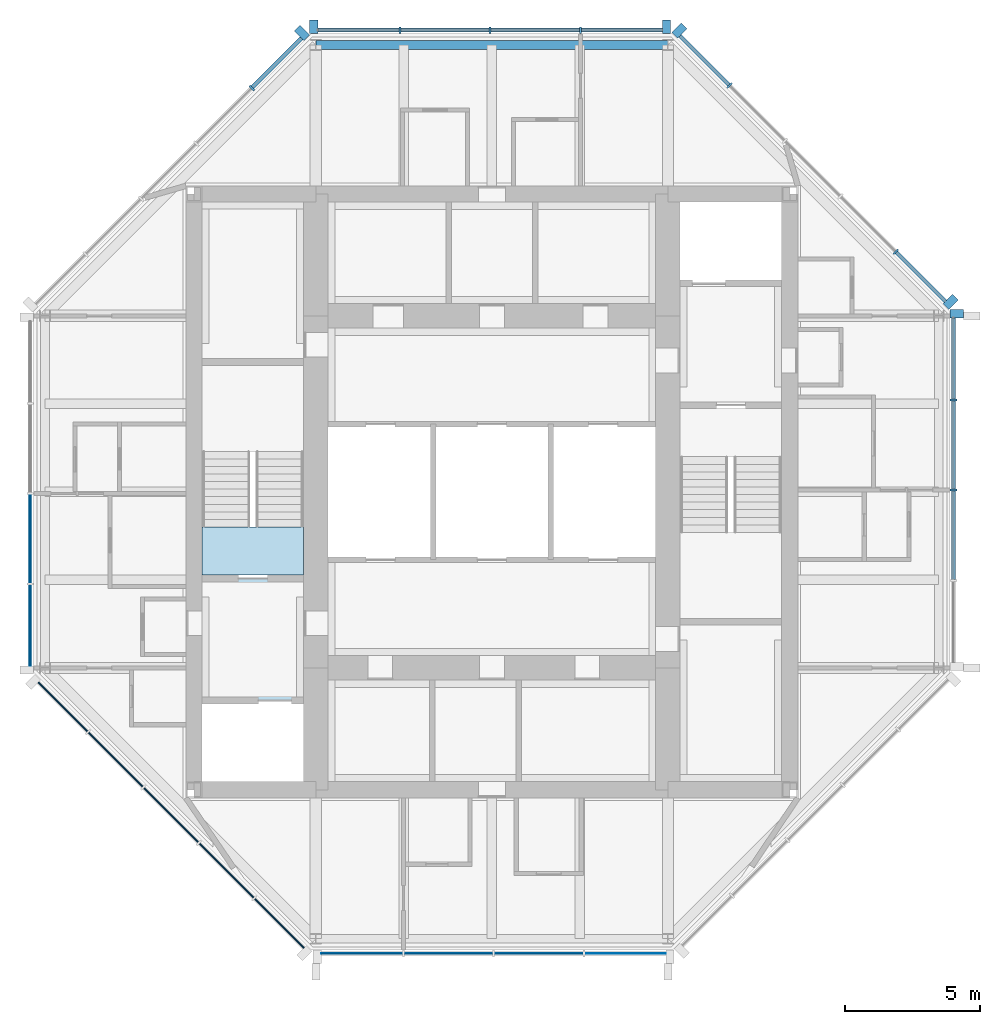
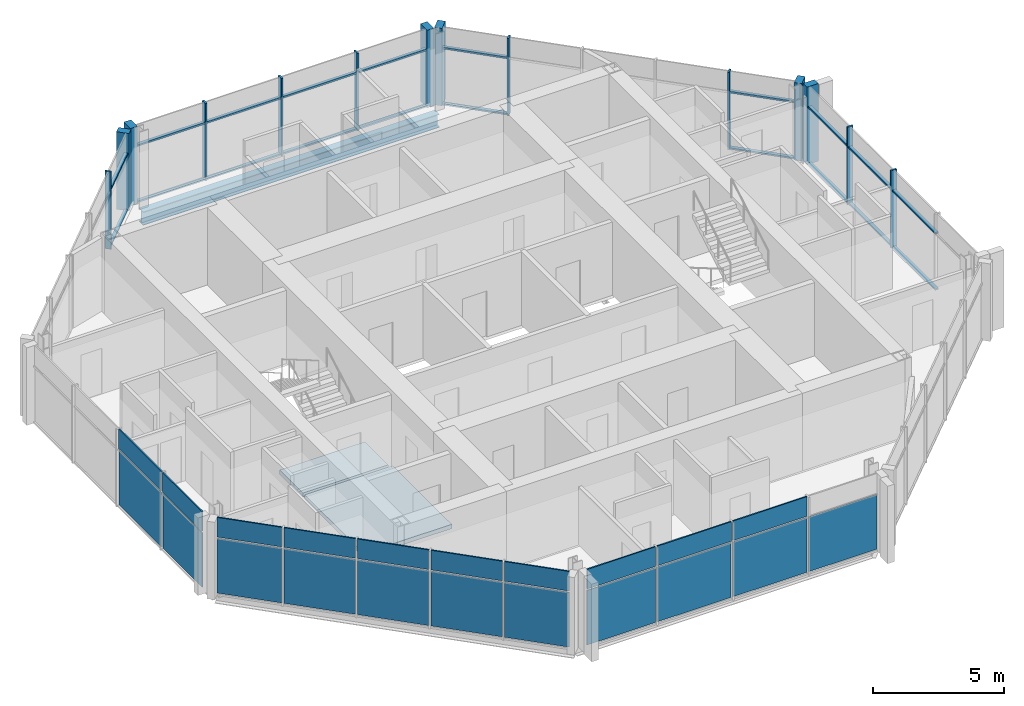
# One storey, part 3 of 9: 34 members, 21 plates, 2 slabs, 1 beam, 8 elements without a shape of their own.
"""IFC4 building model written with IfcOpenShell, lengths in metres."""

from ifc_helpers import new_model, si_unit, direction, frame, origin, origin_2d, place, context, subcontext, project, spatial, polyline, rectangle, i_section, outline, extrude, material, layer, layer_set, material_profile, profile_set, type_object, element, aggregate, save


model = new_model("IFC4")

# Units and contexts
model_context = context("Model", 3, precision=1e-05, world=origin(), true_north=direction((0.0, 1.0)))
body_context = subcontext(model_context, "Body", "Model", "MODEL_VIEW")
ifc_project = project(units=[si_unit("LENGTHUNIT", "METRE"), si_unit("AREAUNIT", "SQUARE_METRE"), si_unit("VOLUMEUNIT", "CUBIC_METRE"), si_unit("PLANEANGLEUNIT", "RADIAN"), si_unit("MASSUNIT", "GRAM", prefix="KILO")], contexts=[model_context])

# Site, building, storey
site_placement = place(None, origin())
site = spatial("IfcSite", under=ifc_project, at=site_placement, CompositionType="ELEMENT")
building_placement = place(site_placement, origin())
building = spatial("IfcBuilding", under=site, at=building_placement, Name="Trevanion Tower", CompositionType="ELEMENT")
storey_placement = place(building_placement, frame((0.0, 0.0, 284.800048828125)))
storey = spatial("IfcBuildingStorey", under=building, at=storey_placement, Name="L70", CompositionType="ELEMENT", Elevation=284.800048828125)

# Curtain wall, members
ifc_material_1 = material(Name="Aluminium and glass", Category="aluminium")
curtain_wall_type = type_object("IfcCurtainWallType", Name="CW4 curtain wall", PredefinedType="USERDEFINED", material=ifc_material_1)
curtain_wall_1_placement = place(storey_placement, origin())
curtain_wall_1 = element("IfcCurtainWall", 1, at=curtain_wall_1_placement, inside=storey, type_object=curtain_wall_type, Name="CW4 L70 0", ObjectType="UNITISED CURTAIN WALL", PredefinedType="USERDEFINED")
ifc_material_2 = material(Name="Aluminium extrusion, anodised bronze", Category="aluminium")
ifc_material_profile_1 = material_profile(ifc_material_2, rectangle(XDim=0.074951171875, YDim=0.25, at=origin_2d()), Name="CW4 mullion")
ifc_profile_set_1 = profile_set([ifc_material_profile_1], Name="Aluminium extrusion, anodised bronze")
member_type_1 = type_object("IfcMemberType", Name="CW4 mullion", PredefinedType="MULLION", material=ifc_profile_set_1)
member_1_placement = place(storey_placement, frame((17.050048828125, 0.06494140625, -0.18994140625), z_axis=(0.0, 0.0, 1.0), x_axis=(0.0, 1.0, 0.0)))
member_1 = element("IfcMember", 2, at=member_1_placement, type_object=member_type_1, Name="CW4 mullion 3", PredefinedType="MULLION", context=body_context, shape_type="SweptSolid", body=[
    extrude(rectangle(XDim=0.074951171875, YDim=0.25, at=origin_2d()), origin(), (0.0, 0.0, 1.0), 3.599853515625),
])
member_2_placement = place(storey_placement, frame((17.050048828125, 3.396484375, -0.18994140625), z_axis=(0.0, 0.0, 1.0), x_axis=(0.0, 1.0, 0.0)))
member_2 = element("IfcMember", 3, at=member_2_placement, type_object=member_type_1, Name="CW4 mullion 4", PredefinedType="MULLION", context=body_context, shape_type="SweptSolid", body=[
    extrude(rectangle(XDim=0.074951171875, YDim=0.25, at=origin_2d()), origin(), (0.0, 0.0, 1.0), 3.599853515625),
])

curtain_wall_2_placement = place(storey_placement, origin())
curtain_wall_2 = element("IfcCurtainWall", 4, at=curtain_wall_2_placement, inside=storey, type_object=curtain_wall_type, Name="CW4 L70 1", ObjectType="UNITISED CURTAIN WALL", PredefinedType="USERDEFINED")
member_3_placement = place(storey_placement, frame((14.912109375, 8.86572265625, -0.18994140625), z_axis=(0.0, 0.0, 1.0), x_axis=(-0.707106781187, 0.707106781187, 0.0)))
member_3 = element("IfcMember", 5, at=member_3_placement, type_object=member_type_1, Name="CW4 mullion 2", PredefinedType="MULLION", context=body_context, shape_type="SweptSolid", body=[
    extrude(rectangle(XDim=0.074951171875, YDim=0.25, at=origin_2d()), origin(), (0.0, 0.0, 1.0), 3.599853515625),
])
member_4_placement = place(storey_placement, frame((8.77392578125, 15.00390625, -0.18994140625), z_axis=(0.0, 0.0, 1.0), x_axis=(-0.707106781187, 0.707106781187, 0.0)))
member_4 = element("IfcMember", 6, at=member_4_placement, type_object=member_type_1, Name="CW4 mullion 5", PredefinedType="MULLION", context=body_context, shape_type="SweptSolid", body=[
    extrude(rectangle(XDim=0.074951171875, YDim=0.25, at=origin_2d()), origin(), (0.0, 0.0, 1.0), 3.599853515625),
])

curtain_wall_3_placement = place(storey_placement, origin())
curtain_wall_3 = element("IfcCurtainWall", 7, at=curtain_wall_3_placement, inside=storey, type_object=curtain_wall_type, Name="CW4 L70 2", ObjectType="UNITISED CURTAIN WALL", PredefinedType="USERDEFINED")
member_5_placement = place(storey_placement, frame((3.266357421875, 17.050048828125, -0.18994140625), z_axis=(0.0, 0.0, 1.0), x_axis=(-1.0, 0.0, 0.0)))
member_5 = element("IfcMember", 8, at=member_5_placement, type_object=member_type_1, Name="CW4 mullion 2", PredefinedType="MULLION", context=body_context, shape_type="SweptSolid", body=[
    extrude(rectangle(XDim=0.074951171875, YDim=0.25, at=origin_2d()), origin(), (0.0, 0.0, 1.0), 3.599853515625),
])
member_6_placement = place(storey_placement, frame((-0.06494140625, 17.050048828125, -0.18994140625), z_axis=(0.0, 0.0, 1.0), x_axis=(-1.0, 0.0, 0.0)))
member_6 = element("IfcMember", 9, at=member_6_placement, type_object=member_type_1, Name="CW4 mullion 3", PredefinedType="MULLION", context=body_context, shape_type="SweptSolid", body=[
    extrude(rectangle(XDim=0.074951171875, YDim=0.25, at=origin_2d()), origin(), (0.0, 0.0, 1.0), 3.599853515625),
])
member_7_placement = place(storey_placement, frame((-3.396484375, 17.050048828125, -0.18994140625), z_axis=(0.0, 0.0, 1.0), x_axis=(-1.0, 0.0, 0.0)))
member_7 = element("IfcMember", 10, at=member_7_placement, type_object=member_type_1, Name="CW4 mullion 4", PredefinedType="MULLION", context=body_context, shape_type="SweptSolid", body=[
    extrude(rectangle(XDim=0.074951171875, YDim=0.25, at=origin_2d()), origin(), (0.0, 0.0, 1.0), 3.599853515625),
])

# Curtain wall, member
curtain_wall_4_placement = place(storey_placement, origin())
curtain_wall_4 = element("IfcCurtainWall", 11, at=curtain_wall_4_placement, inside=storey, type_object=curtain_wall_type, Name="CW4 L70 3", ObjectType="UNITISED CURTAIN WALL", PredefinedType="USERDEFINED")
member_8_placement = place(storey_placement, frame((-8.86572265625, 14.912109375, -0.18994140625), z_axis=(0.0, 0.0, 1.0), x_axis=(-0.707106781187, -0.707106781187, 0.0)))
member_8 = element("IfcMember", 12, at=member_8_placement, type_object=member_type_1, Name="CW4 mullion 2", PredefinedType="MULLION", context=body_context, shape_type="SweptSolid", body=[
    extrude(rectangle(XDim=0.074951171875, YDim=0.25, at=origin_2d()), origin(), (0.0, 0.0, 1.0), 3.599853515625),
])

# Member
ifc_material_3 = material(Name="Aluminium extrusion, anodised bronze", Category="aluminium")
ifc_material_profile_2 = material_profile(ifc_material_3, rectangle(XDim=0.300048828125, YDim=0.5, at=origin_2d()), Name="CW4 pier mullion")
ifc_profile_set_2 = profile_set([ifc_material_profile_2], Name="Aluminium extrusion, anodised bronze")
member_type_2 = type_object("IfcMemberType", Name="CW4 pier mullion", PredefinedType="MULLION", material=ifc_profile_set_2)
member_9_placement = place(storey_placement, frame((17.175048828125, 6.577880859375, -0.18994140625), z_axis=(0.0, 0.0, 1.0), x_axis=(0.0, 1.0, 0.0)))
member_9 = element("IfcMember", 13, at=member_9_placement, type_object=member_type_2, Name="CW4 pier mullion 5", PredefinedType="MULLION", context=body_context, shape_type="SweptSolid", body=[
    extrude(rectangle(XDim=0.300048828125, YDim=0.5, at=origin_2d()), origin(), (0.0, 0.0, 1.0), 3.599853515625),
])

member_10_placement = place(storey_placement, frame((16.9404296875, 7.01416015625, -0.18994140625), z_axis=(0.0, 0.0, 1.0), x_axis=(-0.707106781187, 0.707106781187, 0.0)))
member_10 = element("IfcMember", 14, at=member_10_placement, type_object=member_type_2, Name="CW4 pier mullion 1", PredefinedType="MULLION", context=body_context, shape_type="SweptSolid", body=[
    extrude(rectangle(XDim=0.300048828125, YDim=0.5, at=origin_2d()), origin(), (0.0, 0.0, 1.0), 3.599853515625),
])

member_11_placement = place(storey_placement, frame((6.92236328125, 17.0322265625, -0.18994140625), z_axis=(0.0, 0.0, 1.0), x_axis=(-0.707106781187, 0.707106781187, 0.0)))
member_11 = element("IfcMember", 15, at=member_11_placement, type_object=member_type_2, Name="CW4 pier mullion 6", PredefinedType="MULLION", context=body_context, shape_type="SweptSolid", body=[
    extrude(rectangle(XDim=0.300048828125, YDim=0.5, at=origin_2d()), origin(), (0.0, 0.0, 1.0), 3.599853515625),
])

member_12_placement = place(storey_placement, frame((6.44775390625, 17.175048828125, -0.18994140625), z_axis=(0.0, 0.0, 1.0), x_axis=(-1.0, 0.0, 0.0)))
member_12 = element("IfcMember", 16, at=member_12_placement, type_object=member_type_2, Name="CW4 pier mullion 1", PredefinedType="MULLION", context=body_context, shape_type="SweptSolid", body=[
    extrude(rectangle(XDim=0.300048828125, YDim=0.5, at=origin_2d()), origin(), (0.0, 0.0, 1.0), 3.599853515625),
])

member_13_placement = place(storey_placement, frame((-6.577880859375, 17.175048828125, -0.18994140625), z_axis=(0.0, 0.0, 1.0), x_axis=(-1.0, 0.0, 0.0)))
member_13 = element("IfcMember", 17, at=member_13_placement, type_object=member_type_2, Name="CW4 pier mullion 5", PredefinedType="MULLION", context=body_context, shape_type="SweptSolid", body=[
    extrude(rectangle(XDim=0.300048828125, YDim=0.5, at=origin_2d()), origin(), (0.0, 0.0, 1.0), 3.599853515625),
])

member_14_placement = place(storey_placement, frame((-7.01416015625, 16.9404296875, -0.18994140625), z_axis=(0.0, 0.0, 1.0), x_axis=(-0.707106781187, -0.707106781187, 0.0)))
member_14 = element("IfcMember", 18, at=member_14_placement, type_object=member_type_2, Name="CW4 pier mullion 1", PredefinedType="MULLION", context=body_context, shape_type="SweptSolid", body=[
    extrude(rectangle(XDim=0.300048828125, YDim=0.5, at=origin_2d()), origin(), (0.0, 0.0, 1.0), 3.599853515625),
])

ifc_material_4 = material(Name="Aluminium extrusion, anodised bronze", Category="aluminium")
ifc_material_profile_3 = material_profile(ifc_material_4, rectangle(XDim=0.14990234375, YDim=0.074951171875, at=origin_2d()), Name="CW4 transom")
ifc_profile_set_3 = profile_set([ifc_material_profile_3], Name="Aluminium extrusion, anodised bronze")
member_type_3 = type_object("IfcMemberType", Name="CW4 transom", PredefinedType="USERDEFINED", material=ifc_profile_set_3)
member_15_placement = place(storey_placement, frame((17.050048828125, -3.22900390625, -0.152587890625), z_axis=(0.0, 1.0, 0.0), x_axis=(-1.0, 0.0, 0.0)))
member_15 = element("IfcMember", 19, at=member_15_placement, type_object=member_type_3, Name="CW4 transom 2.1", ObjectType="TRANSOM", PredefinedType="USERDEFINED", context=body_context, shape_type="SweptSolid", body=[
    extrude(rectangle(XDim=0.14990234375, YDim=0.074951171875, at=origin_2d()), origin(), (0.0, 0.0, 1.0), 3.256591796875),
])

member_16_placement = place(storey_placement, frame((17.050048828125, -3.22900390625, 2.4599609375), z_axis=(0.0, 1.0, 0.0), x_axis=(-1.0, 0.0, 0.0)))
member_16 = element("IfcMember", 20, at=member_16_placement, type_object=member_type_3, Name="CW4 transom 2.2", ObjectType="TRANSOM", PredefinedType="USERDEFINED", context=body_context, shape_type="SweptSolid", body=[
    extrude(rectangle(XDim=0.14990234375, YDim=0.074951171875, at=origin_2d()), origin(), (0.0, 0.0, 1.0), 3.256591796875),
])

member_17_placement = place(storey_placement, frame((17.050048828125, 0.1025390625, -0.152587890625), z_axis=(0.0, 1.0, 0.0), x_axis=(-1.0, 0.0, 0.0)))
member_17 = element("IfcMember", 21, at=member_17_placement, type_object=member_type_3, Name="CW4 transom 3.1", ObjectType="TRANSOM", PredefinedType="USERDEFINED", context=body_context, shape_type="SweptSolid", body=[
    extrude(rectangle(XDim=0.14990234375, YDim=0.074951171875, at=origin_2d()), origin(), (0.0, 0.0, 1.0), 3.25634765625),
])

member_18_placement = place(storey_placement, frame((17.050048828125, 0.1025390625, 2.4599609375), z_axis=(0.0, 1.0, 0.0), x_axis=(-1.0, 0.0, 0.0)))
member_18 = element("IfcMember", 22, at=member_18_placement, type_object=member_type_3, Name="CW4 transom 3.2", ObjectType="TRANSOM", PredefinedType="USERDEFINED", context=body_context, shape_type="SweptSolid", body=[
    extrude(rectangle(XDim=0.14990234375, YDim=0.074951171875, at=origin_2d()), origin(), (0.0, 0.0, 1.0), 3.25634765625),
])

member_19_placement = place(storey_placement, frame((17.050048828125, 3.433837890625, -0.152587890625), z_axis=(0.0, 1.0, 0.0), x_axis=(-1.0, 0.0, 0.0)))
member_19 = element("IfcMember", 23, at=member_19_placement, type_object=member_type_3, Name="CW4 transom 4.1", ObjectType="TRANSOM", PredefinedType="USERDEFINED", context=body_context, shape_type="SweptSolid", body=[
    extrude(rectangle(XDim=0.14990234375, YDim=0.074951171875, at=origin_2d()), origin(), (0.0, 0.0, 1.0), 2.993896484375),
])

member_20_placement = place(storey_placement, frame((17.050048828125, 3.433837890625, 2.4599609375), z_axis=(0.0, 1.0, 0.0), x_axis=(-1.0, 0.0, 0.0)))
member_20 = element("IfcMember", 24, at=member_20_placement, type_object=member_type_3, Name="CW4 transom 4.2", ObjectType="TRANSOM", PredefinedType="USERDEFINED", context=body_context, shape_type="SweptSolid", body=[
    extrude(rectangle(XDim=0.14990234375, YDim=0.074951171875, at=origin_2d()), origin(), (0.0, 0.0, 1.0), 2.993896484375),
])

aggregate(curtain_wall_1, [member_1, member_2, member_9, member_15, member_16, member_17, member_18, member_19, member_20])

member_21_placement = place(storey_placement, frame((16.745849609375, 7.031982421875, -0.152587890625), z_axis=(-0.707106781187, 0.707106781187, 0.0), x_axis=(-0.707106781187, -0.707106781187, 0.0)))
member_21 = element("IfcMember", 25, at=member_21_placement, type_object=member_type_3, Name="CW4 transom 1.1", ObjectType="TRANSOM", PredefinedType="USERDEFINED", context=body_context, shape_type="SweptSolid", body=[
    extrude(rectangle(XDim=0.14990234375, YDim=0.074951171875, at=origin_2d()), origin(), (0.0, 0.0, 1.0), 2.555908203125),
])

member_22_placement = place(storey_placement, frame((16.745849609375, 7.031982421875, 2.4599609375), z_axis=(-0.707106781187, 0.707106781187, 0.0), x_axis=(-0.707106781187, -0.707106781187, 0.0)))
member_22 = element("IfcMember", 26, at=member_22_placement, type_object=member_type_3, Name="CW4 transom 1.2", ObjectType="TRANSOM", PredefinedType="USERDEFINED", context=body_context, shape_type="SweptSolid", body=[
    extrude(rectangle(XDim=0.14990234375, YDim=0.074951171875, at=origin_2d()), origin(), (0.0, 0.0, 1.0), 2.555908203125),
])

member_23_placement = place(storey_placement, frame((8.747314453125, 15.030517578125, -0.152587890625), z_axis=(-0.707106781187, 0.707106781187, 0.0), x_axis=(-0.707106781187, -0.707106781187, 0.0)))
member_23 = element("IfcMember", 27, at=member_23_placement, type_object=member_type_3, Name="CW4 transom 5.1", ObjectType="TRANSOM", PredefinedType="USERDEFINED", context=body_context, shape_type="SweptSolid", body=[
    extrude(rectangle(XDim=0.14990234375, YDim=0.074951171875, at=origin_2d()), origin(), (0.0, 0.0, 1.0), 2.555908203125),
])

member_24_placement = place(storey_placement, frame((8.747314453125, 15.030517578125, 2.4599609375), z_axis=(-0.707106781187, 0.707106781187, 0.0), x_axis=(-0.707106781187, -0.707106781187, 0.0)))
member_24 = element("IfcMember", 28, at=member_24_placement, type_object=member_type_3, Name="CW4 transom 5.2", ObjectType="TRANSOM", PredefinedType="USERDEFINED", context=body_context, shape_type="SweptSolid", body=[
    extrude(rectangle(XDim=0.14990234375, YDim=0.074951171875, at=origin_2d()), origin(), (0.0, 0.0, 1.0), 2.555908203125),
])

aggregate(curtain_wall_2, [member_10, member_3, member_4, member_11, member_21, member_22, member_23, member_24])

member_25_placement = place(storey_placement, frame((6.2978515625, 17.050048828125, -0.152587890625), z_axis=(-1.0, 0.0, 0.0), x_axis=(0.0, -1.0, 0.0)))
member_25 = element("IfcMember", 29, at=member_25_placement, type_object=member_type_3, Name="CW4 transom 1.1", ObjectType="TRANSOM", PredefinedType="USERDEFINED", context=body_context, shape_type="SweptSolid", body=[
    extrude(rectangle(XDim=0.14990234375, YDim=0.074951171875, at=origin_2d()), origin(), (0.0, 0.0, 1.0), 2.993896484375),
])

member_26_placement = place(storey_placement, frame((6.2978515625, 17.050048828125, 2.4599609375), z_axis=(-1.0, 0.0, 0.0), x_axis=(0.0, -1.0, 0.0)))
member_26 = element("IfcMember", 30, at=member_26_placement, type_object=member_type_3, Name="CW4 transom 1.2", ObjectType="TRANSOM", PredefinedType="USERDEFINED", context=body_context, shape_type="SweptSolid", body=[
    extrude(rectangle(XDim=0.14990234375, YDim=0.074951171875, at=origin_2d()), origin(), (0.0, 0.0, 1.0), 2.993896484375),
])

member_27_placement = place(storey_placement, frame((3.22900390625, 17.050048828125, -0.152587890625), z_axis=(-1.0, 0.0, 0.0), x_axis=(0.0, -1.0, 0.0)))
member_27 = element("IfcMember", 31, at=member_27_placement, type_object=member_type_3, Name="CW4 transom 2.1", ObjectType="TRANSOM", PredefinedType="USERDEFINED", context=body_context, shape_type="SweptSolid", body=[
    extrude(rectangle(XDim=0.14990234375, YDim=0.074951171875, at=origin_2d()), origin(), (0.0, 0.0, 1.0), 3.256591796875),
])

member_28_placement = place(storey_placement, frame((3.22900390625, 17.050048828125, 2.4599609375), z_axis=(-1.0, 0.0, 0.0), x_axis=(0.0, -1.0, 0.0)))
member_28 = element("IfcMember", 32, at=member_28_placement, type_object=member_type_3, Name="CW4 transom 2.2", ObjectType="TRANSOM", PredefinedType="USERDEFINED", context=body_context, shape_type="SweptSolid", body=[
    extrude(rectangle(XDim=0.14990234375, YDim=0.074951171875, at=origin_2d()), origin(), (0.0, 0.0, 1.0), 3.256591796875),
])

member_29_placement = place(storey_placement, frame((-0.1025390625, 17.050048828125, -0.152587890625), z_axis=(-1.0, 0.0, 0.0), x_axis=(0.0, -1.0, 0.0)))
member_29 = element("IfcMember", 33, at=member_29_placement, type_object=member_type_3, Name="CW4 transom 3.1", ObjectType="TRANSOM", PredefinedType="USERDEFINED", context=body_context, shape_type="SweptSolid", body=[
    extrude(rectangle(XDim=0.14990234375, YDim=0.074951171875, at=origin_2d()), origin(), (0.0, 0.0, 1.0), 3.25634765625),
])

member_30_placement = place(storey_placement, frame((-0.1025390625, 17.050048828125, 2.4599609375), z_axis=(-1.0, 0.0, 0.0), x_axis=(0.0, -1.0, 0.0)))
member_30 = element("IfcMember", 34, at=member_30_placement, type_object=member_type_3, Name="CW4 transom 3.2", ObjectType="TRANSOM", PredefinedType="USERDEFINED", context=body_context, shape_type="SweptSolid", body=[
    extrude(rectangle(XDim=0.14990234375, YDim=0.074951171875, at=origin_2d()), origin(), (0.0, 0.0, 1.0), 3.25634765625),
])

member_31_placement = place(storey_placement, frame((-3.433837890625, 17.050048828125, -0.152587890625), z_axis=(-1.0, 0.0, 0.0), x_axis=(0.0, -1.0, 0.0)))
member_31 = element("IfcMember", 35, at=member_31_placement, type_object=member_type_3, Name="CW4 transom 4.1", ObjectType="TRANSOM", PredefinedType="USERDEFINED", context=body_context, shape_type="SweptSolid", body=[
    extrude(rectangle(XDim=0.14990234375, YDim=0.074951171875, at=origin_2d()), origin(), (0.0, 0.0, 1.0), 2.993896484375),
])

member_32_placement = place(storey_placement, frame((-3.433837890625, 17.050048828125, 2.4599609375), z_axis=(-1.0, 0.0, 0.0), x_axis=(0.0, -1.0, 0.0)))
member_32 = element("IfcMember", 36, at=member_32_placement, type_object=member_type_3, Name="CW4 transom 4.2", ObjectType="TRANSOM", PredefinedType="USERDEFINED", context=body_context, shape_type="SweptSolid", body=[
    extrude(rectangle(XDim=0.14990234375, YDim=0.074951171875, at=origin_2d()), origin(), (0.0, 0.0, 1.0), 2.993896484375),
])

aggregate(curtain_wall_3, [member_12, member_5, member_6, member_7, member_13, member_25, member_26, member_27, member_28, member_29, member_30, member_31, member_32])

member_33_placement = place(storey_placement, frame((-7.031982421875, 16.745849609375, -0.152587890625), z_axis=(-0.707106781187, -0.707106781187, 0.0), x_axis=(0.707106781187, -0.707106781187, 0.0)))
member_33 = element("IfcMember", 37, at=member_33_placement, type_object=member_type_3, Name="CW4 transom 1.1", ObjectType="TRANSOM", PredefinedType="USERDEFINED", context=body_context, shape_type="SweptSolid", body=[
    extrude(rectangle(XDim=0.14990234375, YDim=0.074951171875, at=origin_2d()), origin(), (0.0, 0.0, 1.0), 2.555908203125),
])

member_34_placement = place(storey_placement, frame((-7.031982421875, 16.745849609375, 2.4599609375), z_axis=(-0.707106781187, -0.707106781187, 0.0), x_axis=(0.707106781187, -0.707106781187, 0.0)))
member_34 = element("IfcMember", 38, at=member_34_placement, type_object=member_type_3, Name="CW4 transom 1.2", ObjectType="TRANSOM", PredefinedType="USERDEFINED", context=body_context, shape_type="SweptSolid", body=[
    extrude(rectangle(XDim=0.14990234375, YDim=0.074951171875, at=origin_2d()), origin(), (0.0, 0.0, 1.0), 2.555908203125),
])

aggregate(curtain_wall_4, [member_14, member_8, member_33, member_34])

# Beam
ifc_material_5 = material(Name="Steel ASTM A992 Grade 50", Category="steel")
ifc_material_profile_4 = material_profile(ifc_material_5, i_section(OverallWidth=0.32763671875, OverallDepth=0.622314453125, WebThickness=0.015380859375, FlangeThickness=0.0244140625, at=origin_2d()), Name="W24X131")
ifc_profile_set_4 = profile_set([ifc_material_profile_4], Name="Steel ASTM A992 Grade 50")
beam_type = type_object("IfcBeamType", Name="SB12 W24X131", PredefinedType="SPANDREL", material=ifc_profile_set_4)
beam_placement = place(storey_placement, frame((6.5, 16.5, -0.501220703125), z_axis=(-1.0, 0.0, 0.0), x_axis=(0.0, -1.0, 0.0)))
element("IfcBeam", 39, at=beam_placement, inside=storey, type_object=beam_type, Name="SB12 L70", PredefinedType="SPANDREL", context=body_context, shape_type="SweptSolid", body=[
    extrude(i_section(OverallWidth=0.32763671875, OverallDepth=0.622314453125, WebThickness=0.015380859375, FlangeThickness=0.0244140625, at=origin_2d()), origin(), (0.0, 0.0, 1.0), 13.0),
])

# Curtain wall, plates
curtain_wall_5_placement = place(storey_placement, origin())
curtain_wall_5 = element("IfcCurtainWall", 40, at=curtain_wall_5_placement, inside=storey, type_object=curtain_wall_type, Name="CW4 L70 4", ObjectType="UNITISED CURTAIN WALL", PredefinedType="USERDEFINED")
ifc_material_6 = material(Name="Aluminium spandrel panel", Category="aluminium")
ifc_layer_1 = layer(ifc_material_6, 0.06005859375)
ifc_layer_set_1 = layer_set([ifc_layer_1], Name="CW4 spandrel panel")
plate_type_1 = type_object("IfcPlateType", Name="CW4 spandrel panel", PredefinedType="CURTAIN_PANEL", material=ifc_layer_set_1)
plate_1_placement = place(storey_placement, frame((-17.050048828125, -1.730712890625, 2.497314453125), z_axis=(0.0, 0.0, 1.0), x_axis=(0.0, -1.0, 0.0)))
plate_1 = element("IfcPlate", 41, at=plate_1_placement, type_object=plate_type_1, Name="CW4 panel 3.2", PredefinedType="CURTAIN_PANEL", context=body_context, shape_type="SweptSolid", body=[
    extrude(rectangle(XDim=3.25634765625, YDim=0.06005859375, at=origin_2d()), origin(), (0.0, 0.0, 1.0), 0.91259765625),
])
plate_2_placement = place(storey_placement, frame((-17.050048828125, -4.930908203125, 2.497314453125), z_axis=(0.0, 0.0, 1.0), x_axis=(0.0, -1.0, 0.0)))
plate_2 = element("IfcPlate", 42, at=plate_2_placement, type_object=plate_type_1, Name="CW4 panel 4.2", PredefinedType="CURTAIN_PANEL", context=body_context, shape_type="SweptSolid", body=[
    extrude(rectangle(XDim=2.993896484375, YDim=0.06005859375, at=origin_2d()), origin(), (0.0, 0.0, 1.0), 0.91259765625),
])

curtain_wall_6_placement = place(storey_placement, origin())
curtain_wall_6 = element("IfcCurtainWall", 43, at=curtain_wall_6_placement, inside=storey, type_object=curtain_wall_type, Name="CW4 L70 5", ObjectType="UNITISED CURTAIN WALL", PredefinedType="USERDEFINED")
plate_3_placement = place(storey_placement, frame((-15.84228515625, -7.935546875, 2.497314453125), z_axis=(0.0, 0.0, 1.0), x_axis=(0.707106781187, -0.707106781187, 0.0)))
plate_3 = element("IfcPlate", 44, at=plate_3_placement, type_object=plate_type_1, Name="CW4 panel 1.2", PredefinedType="CURTAIN_PANEL", context=body_context, shape_type="SweptSolid", body=[
    extrude(rectangle(XDim=2.55615234375, YDim=0.06005859375, at=origin_2d()), origin(), (0.0, 0.0, 1.0), 0.91259765625),
])
plate_4_placement = place(storey_placement, frame((-13.888916015625, -9.888916015625, 2.497314453125), z_axis=(0.0, 0.0, 1.0), x_axis=(0.707106781187, -0.707106781187, 0.0)))
plate_4 = element("IfcPlate", 45, at=plate_4_placement, type_object=plate_type_1, Name="CW4 panel 2.2", PredefinedType="CURTAIN_PANEL", context=body_context, shape_type="SweptSolid", body=[
    extrude(rectangle(XDim=2.818603515625, YDim=0.06005859375, at=origin_2d()), origin(), (0.0, 0.0, 1.0), 0.91259765625),
])
plate_5_placement = place(storey_placement, frame((-11.843017578125, -11.934814453125, 2.497314453125), z_axis=(0.0, 0.0, 1.0), x_axis=(0.707106781187, -0.707106781187, 0.0)))
plate_5 = element("IfcPlate", 46, at=plate_5_placement, type_object=plate_type_1, Name="CW4 panel 3.2", PredefinedType="CURTAIN_PANEL", context=body_context, shape_type="SweptSolid", body=[
    extrude(rectangle(XDim=2.818603515625, YDim=0.06005859375, at=origin_2d()), origin(), (0.0, 0.0, 1.0), 0.91259765625),
])
plate_6_placement = place(storey_placement, frame((-9.796875, -13.98095703125, 2.497314453125), z_axis=(0.0, 0.0, 1.0), x_axis=(0.707106781187, -0.707106781187, 0.0)))
plate_6 = element("IfcPlate", 47, at=plate_6_placement, type_object=plate_type_1, Name="CW4 panel 4.2", PredefinedType="CURTAIN_PANEL", context=body_context, shape_type="SweptSolid", body=[
    extrude(rectangle(XDim=2.818603515625, YDim=0.06005859375, at=origin_2d()), origin(), (0.0, 0.0, 1.0), 0.91259765625),
])
plate_7_placement = place(storey_placement, frame((-7.84375, -15.93408203125, 2.497314453125), z_axis=(0.0, 0.0, 1.0), x_axis=(0.707106781187, -0.707106781187, 0.0)))
plate_7 = element("IfcPlate", 48, at=plate_7_placement, type_object=plate_type_1, Name="CW4 panel 5.2", PredefinedType="CURTAIN_PANEL", context=body_context, shape_type="SweptSolid", body=[
    extrude(rectangle(XDim=2.55615234375, YDim=0.06005859375, at=origin_2d()), origin(), (0.0, 0.0, 1.0), 0.91259765625),
])

curtain_wall_7_placement = place(storey_placement, origin())
curtain_wall_7 = element("IfcCurtainWall", 49, at=curtain_wall_7_placement, inside=storey, type_object=curtain_wall_type, Name="CW4 L70 6", ObjectType="UNITISED CURTAIN WALL", PredefinedType="USERDEFINED")
plate_8_placement = place(storey_placement, frame((-4.80078125, -17.050048828125, 2.497314453125), z_axis=(0.0, 0.0, 1.0), x_axis=(1.0, 0.0, 0.0)))
plate_8 = element("IfcPlate", 50, at=plate_8_placement, type_object=plate_type_1, Name="CW4 panel 1.2", PredefinedType="CURTAIN_PANEL", context=body_context, shape_type="SweptSolid", body=[
    extrude(rectangle(XDim=2.993896484375, YDim=0.06005859375, at=origin_2d()), origin(), (0.0, 0.0, 1.0), 0.91259765625),
])
plate_9_placement = place(storey_placement, frame((-1.6005859375, -17.050048828125, 2.497314453125), z_axis=(0.0, 0.0, 1.0), x_axis=(1.0, 0.0, 0.0)))
plate_9 = element("IfcPlate", 51, at=plate_9_placement, type_object=plate_type_1, Name="CW4 panel 2.2", PredefinedType="CURTAIN_PANEL", context=body_context, shape_type="SweptSolid", body=[
    extrude(rectangle(XDim=3.25634765625, YDim=0.06005859375, at=origin_2d()), origin(), (0.0, 0.0, 1.0), 0.91259765625),
])
plate_10_placement = place(storey_placement, frame((1.730712890625, -17.050048828125, 2.497314453125), z_axis=(0.0, 0.0, 1.0), x_axis=(1.0, 0.0, 0.0)))
plate_10 = element("IfcPlate", 52, at=plate_10_placement, type_object=plate_type_1, Name="CW4 panel 3.2", PredefinedType="CURTAIN_PANEL", context=body_context, shape_type="SweptSolid", body=[
    extrude(rectangle(XDim=3.25634765625, YDim=0.06005859375, at=origin_2d()), origin(), (0.0, 0.0, 1.0), 0.91259765625),
])

# Plate
ifc_material_7 = material(Name="Insulating glass unit", Category="glass")
ifc_layer_2 = layer(ifc_material_7, 0.028076171875)
ifc_layer_set_2 = layer_set([ifc_layer_2], Name="CW4 vision panel")
plate_type_2 = type_object("IfcPlateType", Name="CW4 vision panel", PredefinedType="CURTAIN_PANEL", material=ifc_layer_set_2)
plate_11_placement = place(storey_placement, frame((-17.050048828125, -1.730712890625, -0.114990234375), z_axis=(0.0, 0.0, 1.0), x_axis=(0.0, -1.0, 0.0)))
plate_11 = element("IfcPlate", 53, at=plate_11_placement, type_object=plate_type_2, Name="CW4 panel 3.1", PredefinedType="CURTAIN_PANEL", context=body_context, shape_type="SweptSolid", body=[
    extrude(rectangle(XDim=3.25634765625, YDim=0.028076171875, at=origin_2d()), origin(), (0.0, 0.0, 1.0), 2.53759765625),
])

plate_12_placement = place(storey_placement, frame((-17.050048828125, -4.930908203125, -0.114990234375), z_axis=(0.0, 0.0, 1.0), x_axis=(0.0, -1.0, 0.0)))
plate_12 = element("IfcPlate", 54, at=plate_12_placement, type_object=plate_type_2, Name="CW4 panel 4.1", PredefinedType="CURTAIN_PANEL", context=body_context, shape_type="SweptSolid", body=[
    extrude(rectangle(XDim=2.993896484375, YDim=0.028076171875, at=origin_2d()), origin(), (0.0, 0.0, 1.0), 2.53759765625),
])

aggregate(curtain_wall_5, [plate_11, plate_1, plate_12, plate_2])

plate_13_placement = place(storey_placement, frame((-15.84228515625, -7.935546875, -0.114990234375), z_axis=(0.0, 0.0, 1.0), x_axis=(0.707106781187, -0.707106781187, 0.0)))
plate_13 = element("IfcPlate", 55, at=plate_13_placement, type_object=plate_type_2, Name="CW4 panel 1.1", PredefinedType="CURTAIN_PANEL", context=body_context, shape_type="SweptSolid", body=[
    extrude(rectangle(XDim=2.55615234375, YDim=0.028076171875, at=origin_2d()), origin(), (0.0, 0.0, 1.0), 2.53759765625),
])

plate_14_placement = place(storey_placement, frame((-13.888916015625, -9.888916015625, -0.114990234375), z_axis=(0.0, 0.0, 1.0), x_axis=(0.707106781187, -0.707106781187, 0.0)))
plate_14 = element("IfcPlate", 56, at=plate_14_placement, type_object=plate_type_2, Name="CW4 panel 2.1", PredefinedType="CURTAIN_PANEL", context=body_context, shape_type="SweptSolid", body=[
    extrude(rectangle(XDim=2.818603515625, YDim=0.028076171875, at=origin_2d()), origin(), (0.0, 0.0, 1.0), 2.53759765625),
])

plate_15_placement = place(storey_placement, frame((-11.843017578125, -11.934814453125, -0.114990234375), z_axis=(0.0, 0.0, 1.0), x_axis=(0.707106781187, -0.707106781187, 0.0)))
plate_15 = element("IfcPlate", 57, at=plate_15_placement, type_object=plate_type_2, Name="CW4 panel 3.1", PredefinedType="CURTAIN_PANEL", context=body_context, shape_type="SweptSolid", body=[
    extrude(rectangle(XDim=2.818603515625, YDim=0.028076171875, at=origin_2d()), origin(), (0.0, 0.0, 1.0), 2.53759765625),
])

plate_16_placement = place(storey_placement, frame((-9.796875, -13.98095703125, -0.114990234375), z_axis=(0.0, 0.0, 1.0), x_axis=(0.707106781187, -0.707106781187, 0.0)))
plate_16 = element("IfcPlate", 58, at=plate_16_placement, type_object=plate_type_2, Name="CW4 panel 4.1", PredefinedType="CURTAIN_PANEL", context=body_context, shape_type="SweptSolid", body=[
    extrude(rectangle(XDim=2.818603515625, YDim=0.028076171875, at=origin_2d()), origin(), (0.0, 0.0, 1.0), 2.53759765625),
])

plate_17_placement = place(storey_placement, frame((-7.84375, -15.93408203125, -0.114990234375), z_axis=(0.0, 0.0, 1.0), x_axis=(0.707106781187, -0.707106781187, 0.0)))
plate_17 = element("IfcPlate", 59, at=plate_17_placement, type_object=plate_type_2, Name="CW4 panel 5.1", PredefinedType="CURTAIN_PANEL", context=body_context, shape_type="SweptSolid", body=[
    extrude(rectangle(XDim=2.55615234375, YDim=0.028076171875, at=origin_2d()), origin(), (0.0, 0.0, 1.0), 2.53759765625),
])

aggregate(curtain_wall_6, [plate_13, plate_3, plate_14, plate_4, plate_15, plate_5, plate_16, plate_6, plate_17, plate_7])

plate_18_placement = place(storey_placement, frame((-4.80078125, -17.050048828125, -0.114990234375), z_axis=(0.0, 0.0, 1.0), x_axis=(1.0, 0.0, 0.0)))
plate_18 = element("IfcPlate", 60, at=plate_18_placement, type_object=plate_type_2, Name="CW4 panel 1.1", PredefinedType="CURTAIN_PANEL", context=body_context, shape_type="SweptSolid", body=[
    extrude(rectangle(XDim=2.993896484375, YDim=0.028076171875, at=origin_2d()), origin(), (0.0, 0.0, 1.0), 2.53759765625),
])

plate_19_placement = place(storey_placement, frame((-1.6005859375, -17.050048828125, -0.114990234375), z_axis=(0.0, 0.0, 1.0), x_axis=(1.0, 0.0, 0.0)))
plate_19 = element("IfcPlate", 61, at=plate_19_placement, type_object=plate_type_2, Name="CW4 panel 2.1", PredefinedType="CURTAIN_PANEL", context=body_context, shape_type="SweptSolid", body=[
    extrude(rectangle(XDim=3.25634765625, YDim=0.028076171875, at=origin_2d()), origin(), (0.0, 0.0, 1.0), 2.53759765625),
])

plate_20_placement = place(storey_placement, frame((1.730712890625, -17.050048828125, -0.114990234375), z_axis=(0.0, 0.0, 1.0), x_axis=(1.0, 0.0, 0.0)))
plate_20 = element("IfcPlate", 62, at=plate_20_placement, type_object=plate_type_2, Name="CW4 panel 3.1", PredefinedType="CURTAIN_PANEL", context=body_context, shape_type="SweptSolid", body=[
    extrude(rectangle(XDim=3.25634765625, YDim=0.028076171875, at=origin_2d()), origin(), (0.0, 0.0, 1.0), 2.53759765625),
])

plate_21_placement = place(storey_placement, frame((4.930908203125, -17.050048828125, -0.114990234375), z_axis=(0.0, 0.0, 1.0), x_axis=(1.0, 0.0, 0.0)))
plate_21 = element("IfcPlate", 63, at=plate_21_placement, type_object=plate_type_2, Name="CW4 panel 4.1", PredefinedType="CURTAIN_PANEL", context=body_context, shape_type="SweptSolid", body=[
    extrude(rectangle(XDim=2.993896484375, YDim=0.028076171875, at=origin_2d()), origin(), (0.0, 0.0, 1.0), 2.53759765625),
])

aggregate(curtain_wall_7, [plate_18, plate_8, plate_19, plate_9, plate_20, plate_10, plate_21])

# Slab
ifc_material_8 = material(Name="Concrete 5,000 psi", Category="concrete")
ifc_layer_3 = layer(ifc_material_8, 0.199951171875)
ifc_layer_set_3 = layer_set([ifc_layer_3], Name="SL2 core floor 200")
slab_type_1 = type_object("IfcSlabType", Name="SL2 core floor 200", PredefinedType="FLOOR", material=ifc_layer_set_3)
slab_1_placement = place(storey_placement, frame((0.0, 0.0, -0.199951171875)))
element("IfcSlab", 64, at=slab_1_placement, inside=storey, type_object=slab_type_1, Name="SL2 L70 core floor 3", PredefinedType="FLOOR", context=body_context, shape_type="SweptSolid", body=[
    extrude(outline(polyline([(-6.830078125, -3.205078125), (-6.830078125, -7.695068359375), (-10.699951171875, -7.695068359375), (-10.699951171875, -3.205078125), (-6.830078125, -3.205078125)])), origin(), (0.0, 0.0, 1.0), 0.199951171875),
])

# Stair, slab
ifc_material_9 = material(Name="Concrete 5,000 psi on steel stringers", Category="concrete")
stair_type = type_object("IfcStairType", Name="ST stair", PredefinedType="HALF_TURN_STAIR", material=ifc_material_9)
stair_placement = place(storey_placement, origin())
stair = element("IfcStair", 65, at=stair_placement, inside=storey, type_object=stair_type, Name="ST2 L70", PredefinedType="HALF_TURN_STAIR")
ifc_material_10 = material(Name="Concrete 5,000 psi in steel pan", Category="concrete")
ifc_layer_4 = layer(ifc_material_10, 0.199951171875)
ifc_layer_set_4 = layer_set([ifc_layer_4], Name="STL stair landing 200")
slab_type_2 = type_object("IfcSlabType", Name="STL stair landing 200", PredefinedType="LANDING", material=ifc_layer_set_4)
slab_2_placement = place(storey_placement, frame((0.0, 0.0, -0.199951171875)))
slab_2 = element("IfcSlab", 66, at=slab_2_placement, type_object=slab_type_2, Name="ST2 landing 1", PredefinedType="LANDING", context=body_context, shape_type="SweptSolid", body=[
    extrude(outline(polyline([(-6.949951171875, -1.300048828125), (-10.699951171875, -1.300048828125), (-10.699951171875, -3.074951171875), (-6.949951171875, -3.074951171875), (-6.949951171875, -1.300048828125)])), origin(), (0.0, 0.0, 1.0), 0.199951171875),
])
aggregate(stair, [slab_2])

save(model, "model.ifc")
